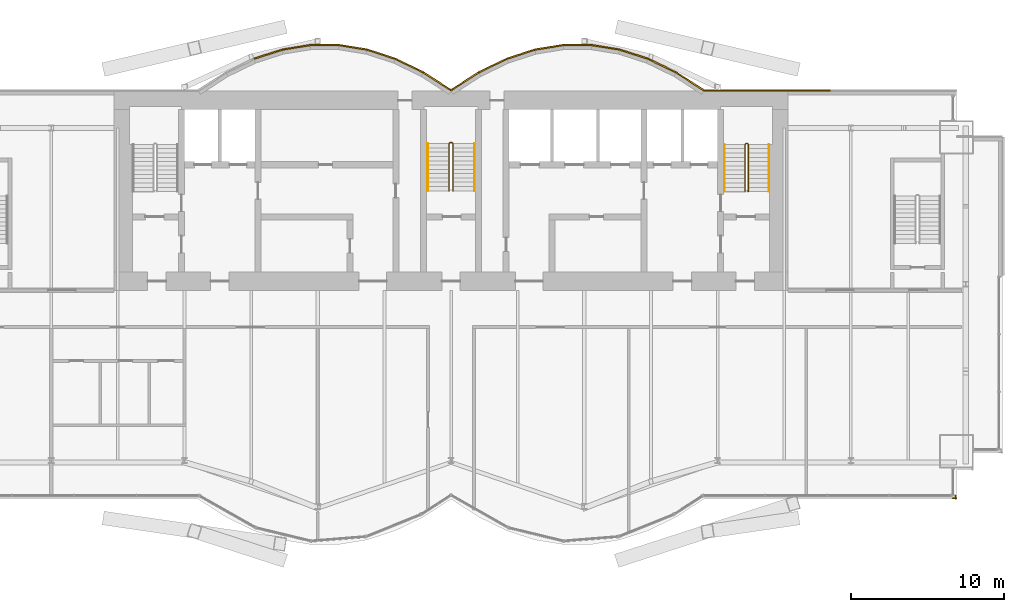
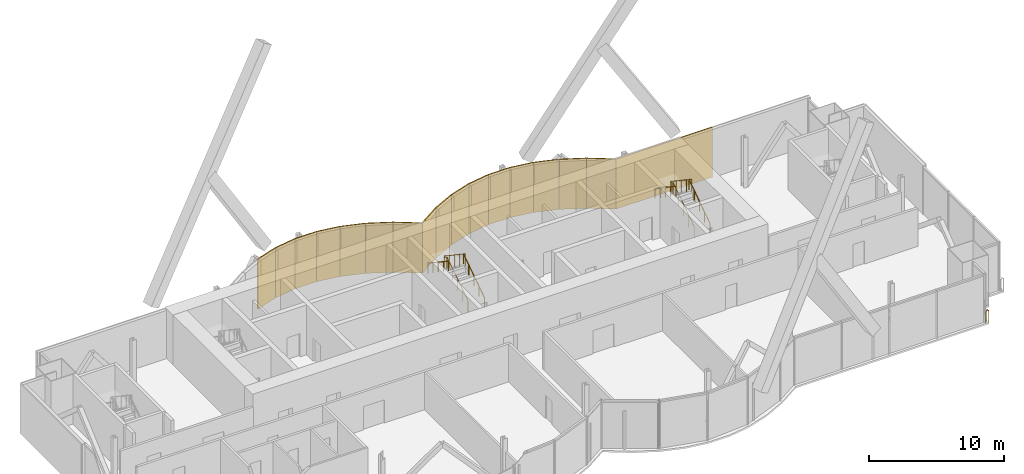
# One storey, part 19 of 20: 17 coverings, 7 railings.
"""IFC4 building model written with IfcOpenShell, lengths in metres."""

from ifc_helpers import new_model, si_unit, direction, frame, origin, origin_2d, place, context, subcontext, project, spatial, rectangle, circle, extrude, material, layer, layer_set, type_object, element, save


model = new_model("IFC4")

# Units and contexts
model_context = context("Model", 3, precision=1e-05, world=origin(), true_north=direction((0.0, 1.0)))
body_context = subcontext(model_context, "Body", "Model", "MODEL_VIEW")
ifc_project = project(units=[si_unit("LENGTHUNIT", "METRE"), si_unit("AREAUNIT", "SQUARE_METRE"), si_unit("VOLUMEUNIT", "CUBIC_METRE"), si_unit("PLANEANGLEUNIT", "RADIAN"), si_unit("MASSUNIT", "GRAM", prefix="KILO")], contexts=[model_context])

# Site, building, storey
site_placement = place(None, origin())
site = spatial("IfcSite", under=ifc_project, at=site_placement, CompositionType="ELEMENT")
building_placement = place(site_placement, origin())
building = spatial("IfcBuilding", under=site, at=building_placement, Name="Bicima Exchange Tower", CompositionType="ELEMENT")
storey_placement = place(building_placement, frame((0.0, 0.0, 306.5)))
storey = spatial("IfcBuildingStorey", under=building, at=storey_placement, Name="L69", CompositionType="ELEMENT", Elevation=306.5)

# Coverings
ifc_material_1 = material(Name="Bronze metal cladding")
ifc_layer_1 = layer(ifc_material_1, 0.004)
ifc_material_2 = material(Name="Ventilated cavity")
ifc_layer_2 = layer(ifc_material_2, 0.06)
ifc_material_3 = material(Name="Galvanised steel rail and mineral wool", Category="steel")
ifc_layer_3 = layer(ifc_material_3, 0.036)
ifc_layer_set = layer_set([ifc_layer_1, ifc_layer_2, ifc_layer_3], Name="Ventilated cavity")
covering_type = type_object("IfcCoveringType", Name="Bronze metal cladding panel 100", PredefinedType="CLADDING", material=ifc_layer_set)
covering_1_placement = place(storey_placement, frame((20.625, 0.050048828125, -0.14990234375), z_axis=(0.0, 0.0, 1.0), x_axis=(-1.0, 0.0, 0.0)))
element("IfcCovering", 1, at=covering_1_placement, inside=storey, type_object=covering_type, Name="Bronze cladding L69 1.2", PredefinedType="CLADDING", context=body_context, shape_type="SweptSolid", body=[
    extrude(rectangle(XDim=8.25, YDim=0.10009765625, at=origin_2d()), origin(), (0.0, 0.0, 1.0), 4.5),
])
covering_2_placement = place(storey_placement, frame((15.610595703125, 0.634521484375, -0.14990234375), z_axis=(0.0, 0.0, 1.0), x_axis=(-0.839790466384, 0.542910648791, 0.0)))
element("IfcCovering", 2, at=covering_2_placement, inside=storey, type_object=covering_type, Name="Bronze cladding L69 2.1", PredefinedType="CLADDING", context=body_context, shape_type="SweptSolid", body=[
    extrude(rectangle(XDim=2.18310546875, YDim=0.10009765625, at=origin_2d()), origin(), (0.0, 0.0, 1.0), 4.5),
])
covering_3_placement = place(storey_placement, frame((13.771728515625, 1.674560546875, -0.14990234375), z_axis=(0.0, 0.0, 1.0), x_axis=(-0.899818346812, 0.436264762204, 0.0)))
element("IfcCovering", 3, at=covering_3_placement, inside=storey, type_object=covering_type, Name="Bronze cladding L69 3.1", PredefinedType="CLADDING", context=body_context, shape_type="SweptSolid", body=[
    extrude(rectangle(XDim=2.03759765625, YDim=0.10009765625, at=origin_2d()), origin(), (0.0, 0.0, 1.0), 4.5),
])
covering_4_placement = place(storey_placement, frame((11.931884765625, 2.41796875, -0.14990234375), z_axis=(0.0, 0.0, 1.0), x_axis=(-0.951524642381, 0.307572519808, 0.0)))
element("IfcCovering", 4, at=covering_4_placement, inside=storey, type_object=covering_type, Name="Bronze cladding L69 4.1", PredefinedType="CLADDING", context=body_context, shape_type="SweptSolid", body=[
    extrude(rectangle(XDim=1.9267578125, YDim=0.10009765625, at=origin_2d()), origin(), (0.0, 0.0, 1.0), 4.5),
])
covering_5_placement = place(storey_placement, frame((10.09130859375, 2.8642578125, -0.14990234375), z_axis=(0.0, 0.0, 1.0), x_axis=(-0.987189786347, 0.159550386184, 0.0)))
element("IfcCovering", 5, at=covering_5_placement, inside=storey, type_object=covering_type, Name="Bronze cladding L69 5.1", PredefinedType="CLADDING", context=body_context, shape_type="SweptSolid", body=[
    extrude(rectangle(XDim=1.857177734375, YDim=0.10009765625, at=origin_2d()), origin(), (0.0, 0.0, 1.0), 4.5),
])
covering_6_placement = place(storey_placement, frame((8.25, 3.012939453125, -0.14990234375), z_axis=(0.0, 0.0, 1.0), x_axis=(-1.0, 0.0, 0.0)))
element("IfcCovering", 6, at=covering_6_placement, inside=storey, type_object=covering_type, Name="Bronze cladding L69 6.1", PredefinedType="CLADDING", context=body_context, shape_type="SweptSolid", body=[
    extrude(rectangle(XDim=1.83349609375, YDim=0.10009765625, at=origin_2d()), origin(), (0.0, 0.0, 1.0), 4.5),
])
covering_7_placement = place(storey_placement, frame((6.40869140625, 2.8642578125, -0.14990234375), z_axis=(0.0, 0.0, 1.0), x_axis=(-0.987189786347, -0.159550386184, 0.0)))
element("IfcCovering", 7, at=covering_7_placement, inside=storey, type_object=covering_type, Name="Bronze cladding L69 7.1", PredefinedType="CLADDING", context=body_context, shape_type="SweptSolid", body=[
    extrude(rectangle(XDim=1.857177734375, YDim=0.10009765625, at=origin_2d()), origin(), (0.0, 0.0, 1.0), 4.5),
])
covering_8_placement = place(storey_placement, frame((4.568115234375, 2.41796875, -0.14990234375), z_axis=(0.0, 0.0, 1.0), x_axis=(-0.951524642381, -0.307572519808, 0.0)))
element("IfcCovering", 8, at=covering_8_placement, inside=storey, type_object=covering_type, Name="Bronze cladding L69 8.1", PredefinedType="CLADDING", context=body_context, shape_type="SweptSolid", body=[
    extrude(rectangle(XDim=1.9267578125, YDim=0.10009765625, at=origin_2d()), origin(), (0.0, 0.0, 1.0), 4.5),
])
covering_9_placement = place(storey_placement, frame((2.728271484375, 1.674560546875, -0.14990234375), z_axis=(0.0, 0.0, 1.0), x_axis=(-0.899818346812, -0.436264762204, 0.0)))
element("IfcCovering", 9, at=covering_9_placement, inside=storey, type_object=covering_type, Name="Bronze cladding L69 9.1", PredefinedType="CLADDING", context=body_context, shape_type="SweptSolid", body=[
    extrude(rectangle(XDim=2.03759765625, YDim=0.10009765625, at=origin_2d()), origin(), (0.0, 0.0, 1.0), 4.5),
])
for number, where, z_axis, x_axis, name in (
    (10, (0.889404296875, 0.634521484375, -0.14990234375), (0.0, 0.0, 1.0), (-0.839790466384, -0.542910648791, 0.0), "Bronze cladding L69 10.1"),
    (11, (-0.889404296875, 0.634521484375, -0.14990234375), (0.0, 0.0, 1.0), (-0.839790466384, 0.542910648791, 0.0), "Bronze cladding L69 11.1"),
):
    element("IfcCovering", number, at=place(storey_placement, frame(where, z_axis=z_axis, x_axis=x_axis)), inside=storey, type_object=covering_type, Name=name, PredefinedType="CLADDING", context=body_context, shape_type="SweptSolid", body=[
        extrude(rectangle(XDim=2.18310546875, YDim=0.10009765625, at=origin_2d()), origin(), (0.0, 0.0, 1.0), 4.5),
    ])
covering_10_placement = place(storey_placement, frame((-2.728271484375, 1.674560546875, -0.14990234375), z_axis=(0.0, 0.0, 1.0), x_axis=(-0.899818346812, 0.436264762204, 0.0)))
element("IfcCovering", 12, at=covering_10_placement, inside=storey, type_object=covering_type, Name="Bronze cladding L69 12.1", PredefinedType="CLADDING", context=body_context, shape_type="SweptSolid", body=[
    extrude(rectangle(XDim=2.03759765625, YDim=0.10009765625, at=origin_2d()), origin(), (0.0, 0.0, 1.0), 4.5),
])
covering_11_placement = place(storey_placement, frame((-4.568115234375, 2.41796875, -0.14990234375), z_axis=(0.0, 0.0, 1.0), x_axis=(-0.951524642381, 0.307572519808, 0.0)))
element("IfcCovering", 13, at=covering_11_placement, inside=storey, type_object=covering_type, Name="Bronze cladding L69 13.1", PredefinedType="CLADDING", context=body_context, shape_type="SweptSolid", body=[
    extrude(rectangle(XDim=1.9267578125, YDim=0.10009765625, at=origin_2d()), origin(), (0.0, 0.0, 1.0), 4.5),
])
covering_12_placement = place(storey_placement, frame((-6.40869140625, 2.8642578125, -0.14990234375), z_axis=(0.0, 0.0, 1.0), x_axis=(-0.987189786347, 0.159550386184, 0.0)))
element("IfcCovering", 14, at=covering_12_placement, inside=storey, type_object=covering_type, Name="Bronze cladding L69 14.1", PredefinedType="CLADDING", context=body_context, shape_type="SweptSolid", body=[
    extrude(rectangle(XDim=1.857177734375, YDim=0.10009765625, at=origin_2d()), origin(), (0.0, 0.0, 1.0), 4.5),
])
covering_13_placement = place(storey_placement, frame((-8.25, 3.012939453125, -0.14990234375), z_axis=(0.0, 0.0, 1.0), x_axis=(-1.0, 0.0, 0.0)))
element("IfcCovering", 15, at=covering_13_placement, inside=storey, type_object=covering_type, Name="Bronze cladding L69 15.1", PredefinedType="CLADDING", context=body_context, shape_type="SweptSolid", body=[
    extrude(rectangle(XDim=1.83349609375, YDim=0.10009765625, at=origin_2d()), origin(), (0.0, 0.0, 1.0), 4.5),
])
covering_14_placement = place(storey_placement, frame((-10.09130859375, 2.8642578125, -0.14990234375), z_axis=(0.0, 0.0, 1.0), x_axis=(-0.987189786347, -0.159550386184, 0.0)))
element("IfcCovering", 16, at=covering_14_placement, inside=storey, type_object=covering_type, Name="Bronze cladding L69 16.1", PredefinedType="CLADDING", context=body_context, shape_type="SweptSolid", body=[
    extrude(rectangle(XDim=1.857177734375, YDim=0.10009765625, at=origin_2d()), origin(), (0.0, 0.0, 1.0), 4.5),
])
covering_15_placement = place(storey_placement, frame((-11.931884765625, 2.41796875, -0.14990234375), z_axis=(0.0, 0.0, 1.0), x_axis=(-0.951524642381, -0.307572519808, 0.0)))
element("IfcCovering", 17, at=covering_15_placement, inside=storey, type_object=covering_type, Name="Bronze cladding L69 17.1", PredefinedType="CLADDING", context=body_context, shape_type="SweptSolid", body=[
    extrude(rectangle(XDim=1.9267578125, YDim=0.10009765625, at=origin_2d()), origin(), (0.0, 0.0, 1.0), 4.5),
])

# Railings
ifc_material_4 = material(Name="Stainless steel and bonded safety glass", Category="steel")
railing_type_1 = type_object("IfcRailingType", Name="Edge guard 1100", PredefinedType="GUARDRAIL", material=ifc_material_4)
railing_1_placement = place(storey_placement, frame((32.949951171875, -26.389892578125, 0.0)))
element("IfcRailing", 18, at=railing_1_placement, inside=storey, type_object=railing_type_1, Name="Edge guard L69 358", PredefinedType="GUARDRAIL", context=body_context, shape_type="SweptSolid", body=[
    extrude(circle(Radius=0.02392578125, at=origin_2d()), frame((0.0, 0.0, 1.076171875), z_axis=(0.0, -1.0, 0.0), x_axis=(1.0, 0.0, 0.0)), (0.0, 0.0, 1.0), 0.238037109375),
    extrude(circle(Radius=0.02392578125, at=origin_2d()), frame((0.0, -0.238037109375, 1.076171875), z_axis=(0.707106781187, 0.707106781187, 0.0), x_axis=(-0.707106781187, 0.707106781187, 0.0)), (0.0, 0.0, 1.0), 0.07080078125),
    extrude(circle(Radius=0.02392578125, at=origin_2d()), frame((0.050048828125, -0.18798828125, 1.076171875), z_axis=(-1.0, 0.0, 0.0), x_axis=(0.0, -1.0, 0.0)), (0.0, 0.0, 1.0), 0.25),
    extrude(circle(Radius=0.02099609375, at=origin_2d()), origin(), (0.0, 0.0, 1.0), 1.052001953125),
    extrude(circle(Radius=0.02099609375, at=origin_2d()), frame((0.0, -0.238037109375, 0.0)), (0.0, 0.0, 1.0), 1.052001953125),
    extrude(circle(Radius=0.02099609375, at=origin_2d()), frame((0.050048828125, -0.18798828125, 0.0)), (0.0, 0.0, 1.0), 1.052001953125),
    extrude(circle(Radius=0.02099609375, at=origin_2d()), frame((-0.199951171875, -0.18798828125, 0.0)), (0.0, 0.0, 1.0), 1.052001953125),
])
ifc_material_5 = material(Name="Stainless steel", Category="steel")
railing_type_2 = type_object("IfcRailingType", Name="Stair guard 1100", PredefinedType="GUARDRAIL", material=ifc_material_5)
railing_2_placement = place(storey_placement, frame((0.125, -6.5, 0.1875)))
element("IfcRailing", 19, at=railing_2_placement, inside=storey, type_object=railing_type_2, Name="L69 ST-C stair guard 1", PredefinedType="GUARDRAIL", context=body_context, shape_type="SweptSolid", body=[
    extrude(circle(Radius=0.02392578125, at=origin_2d()), frame((0.0, 0.0, 1.076171875), z_axis=(0.0, 0.830913701846, 0.55640131208), x_axis=(-1.0, 0.0, 0.0)), (0.0, 0.0, 1.0), 3.706787109375),
    extrude(circle(Radius=0.02392578125, at=origin_2d()), frame((0.0, 3.080078125, 3.138671875), z_axis=(-0.708833529934, 0.705375805398, 0.0), x_axis=(-0.705375805398, -0.708833529934, 0.0)), (0.0, 0.0, 1.0), 0.070556640625),
    extrude(circle(Radius=0.02392578125, at=origin_2d()), frame((-0.050048828125, 3.1298828125, 3.138671875), z_axis=(-1.0, 0.0, 0.0), x_axis=(0.0, -1.0, 0.0)), (0.0, 0.0, 1.0), 0.14990234375),
    extrude(circle(Radius=0.02392578125, at=origin_2d()), frame((-0.199951171875, 3.1298828125, 3.138671875), z_axis=(-0.249802250048, -0.248583702486, 0.935844527007), x_axis=(0.705375805398, -0.708833529934, 0.0)), (0.0, 0.0, 1.0), 0.200439453125),
    extrude(circle(Radius=0.02392578125, at=origin_2d()), frame((-0.25, 3.080078125, 3.326171875), z_axis=(0.0, -0.830913701846, 0.55640131208), x_axis=(1.0, 0.0, 0.0)), (0.0, 0.0, 1.0), 3.706787109375),
    extrude(circle(Radius=0.02099609375, at=origin_2d()), origin(), (0.0, 0.0, 1.0), 1.052001953125),
    extrude(circle(Radius=0.02099609375, at=origin_2d()), frame((0.0, 0.77001953125, 0.515625)), (0.0, 0.0, 1.0), 1.052001953125),
    extrude(circle(Radius=0.02099609375, at=origin_2d()), frame((0.0, 1.5400390625, 1.03125)), (0.0, 0.0, 1.0), 1.052001953125),
    extrude(circle(Radius=0.02099609375, at=origin_2d()), frame((0.0, 2.31005859375, 1.546875)), (0.0, 0.0, 1.0), 1.052001953125),
    extrude(circle(Radius=0.02099609375, at=origin_2d()), frame((0.0, 3.080078125, 2.0625)), (0.0, 0.0, 1.0), 1.052001953125),
    extrude(circle(Radius=0.02099609375, at=origin_2d()), frame((-0.050048828125, 3.1298828125, 2.0625)), (0.0, 0.0, 1.0), 1.052001953125),
    extrude(circle(Radius=0.02099609375, at=origin_2d()), frame((-0.199951171875, 3.1298828125, 2.0625)), (0.0, 0.0, 1.0), 1.052001953125),
    extrude(circle(Radius=0.02099609375, at=origin_2d()), frame((-0.25, 3.080078125, 2.25)), (0.0, 0.0, 1.0), 1.052001953125),
    extrude(circle(Radius=0.02099609375, at=origin_2d()), frame((-0.25, 2.31005859375, 2.765625)), (0.0, 0.0, 1.0), 1.052001953125),
    extrude(circle(Radius=0.02099609375, at=origin_2d()), frame((-0.25, 1.5400390625, 3.28125)), (0.0, 0.0, 1.0), 1.052001953125),
    extrude(circle(Radius=0.02099609375, at=origin_2d()), frame((-0.25, 0.77001953125, 3.796875)), (0.0, 0.0, 1.0), 1.052001953125),
    extrude(circle(Radius=0.02099609375, at=origin_2d()), frame((-0.25, 0.0, 4.3125)), (0.0, 0.0, 1.0), 1.052001953125),
])
railing_3_placement = place(storey_placement, frame((19.39990234375, -6.550048828125, 0.1875)))
element("IfcRailing", 20, at=railing_3_placement, inside=storey, type_object=railing_type_2, Name="L69 ST-E stair guard 1", PredefinedType="GUARDRAIL", context=body_context, shape_type="SweptSolid", body=[
    extrude(circle(Radius=0.02392578125, at=origin_2d()), frame((0.0, 0.0, 1.076171875), z_axis=(0.0, 0.830913701846, 0.55640131208), x_axis=(-1.0, 0.0, 0.0)), (0.0, 0.0, 1.0), 3.706787109375),
    extrude(circle(Radius=0.02392578125, at=origin_2d()), frame((0.0, 3.080078125, 3.138671875), z_axis=(-0.705375805398, 0.708833529934, 0.0), x_axis=(-0.708833529934, -0.705375805398, 0.0)), (0.0, 0.0, 1.0), 0.070556640625),
    extrude(circle(Radius=0.02392578125, at=origin_2d()), frame((-0.0498046875, 3.130126953125, 3.138671875), z_axis=(-1.0, 0.0, 0.0), x_axis=(0.0, -1.0, 0.0)), (0.0, 0.0, 1.0), 0.10009765625),
    extrude(circle(Radius=0.02392578125, at=origin_2d()), frame((-0.14990234375, 3.130126953125, 3.138671875), z_axis=(-0.249726431254, -0.249726431254, 0.935560483917), x_axis=(0.707106781187, -0.707106781187, 0.0)), (0.0, 0.0, 1.0), 0.200439453125),
    extrude(circle(Radius=0.02392578125, at=origin_2d()), frame((-0.199951171875, 3.080078125, 3.326171875), z_axis=(0.0, -0.830913701846, 0.55640131208), x_axis=(1.0, 0.0, 0.0)), (0.0, 0.0, 1.0), 3.706787109375),
    extrude(circle(Radius=0.02099609375, at=origin_2d()), origin(), (0.0, 0.0, 1.0), 1.052001953125),
    extrude(circle(Radius=0.02099609375, at=origin_2d()), frame((0.0, 0.77001953125, 0.515625)), (0.0, 0.0, 1.0), 1.052001953125),
    extrude(circle(Radius=0.02099609375, at=origin_2d()), frame((0.0, 1.5400390625, 1.03125)), (0.0, 0.0, 1.0), 1.052001953125),
    extrude(circle(Radius=0.02099609375, at=origin_2d()), frame((0.0, 2.31005859375, 1.546875)), (0.0, 0.0, 1.0), 1.052001953125),
    extrude(circle(Radius=0.02099609375, at=origin_2d()), frame((0.0, 3.080078125, 2.0625)), (0.0, 0.0, 1.0), 1.052001953125),
    extrude(circle(Radius=0.02099609375, at=origin_2d()), frame((-0.0498046875, 3.130126953125, 2.0625)), (0.0, 0.0, 1.0), 1.052001953125),
    extrude(circle(Radius=0.02099609375, at=origin_2d()), frame((-0.14990234375, 3.130126953125, 2.0625)), (0.0, 0.0, 1.0), 1.052001953125),
    extrude(circle(Radius=0.02099609375, at=origin_2d()), frame((-0.199951171875, 3.080078125, 2.25)), (0.0, 0.0, 1.0), 1.052001953125),
    extrude(circle(Radius=0.02099609375, at=origin_2d()), frame((-0.199951171875, 2.31005859375, 2.765625)), (0.0, 0.0, 1.0), 1.052001953125),
    extrude(circle(Radius=0.02099609375, at=origin_2d()), frame((-0.199951171875, 1.5400390625, 3.28125)), (0.0, 0.0, 1.0), 1.052001953125),
    extrude(circle(Radius=0.02099609375, at=origin_2d()), frame((-0.199951171875, 0.77001953125, 3.796875)), (0.0, 0.0, 1.0), 1.052001953125),
    extrude(circle(Radius=0.02099609375, at=origin_2d()), frame((-0.199951171875, 0.0, 4.3125)), (0.0, 0.0, 1.0), 1.052001953125),
])
railing_type_3 = type_object("IfcRailingType", Name="Stair handrail 900", PredefinedType="HANDRAIL", material=ifc_material_5)
railing_4_placement = place(storey_placement, frame((1.52490234375, -6.5, 0.1875)))
element("IfcRailing", 21, at=railing_4_placement, inside=storey, type_object=railing_type_3, Name="L69 ST-C stair handrail 1", PredefinedType="HANDRAIL", context=body_context, shape_type="SweptSolid", body=[
    extrude(circle(Radius=0.02392578125, at=origin_2d()), frame((0.0, 0.0, 0.8759765625), z_axis=(0.0, 0.830913701846, 0.55640131208), x_axis=(-1.0, 0.0, 0.0)), (0.0, 0.0, 1.0), 3.706787109375),
    extrude(circle(Radius=0.02099609375, at=origin_2d()), origin(), (0.0, 0.0, 1.0), 0.851806640625),
    extrude(circle(Radius=0.02099609375, at=origin_2d()), frame((0.0, 0.77001953125, 0.515625)), (0.0, 0.0, 1.0), 0.851806640625),
    extrude(circle(Radius=0.02099609375, at=origin_2d()), frame((0.0, 1.5400390625, 1.03125)), (0.0, 0.0, 1.0), 0.851806640625),
    extrude(circle(Radius=0.02099609375, at=origin_2d()), frame((0.0, 2.31005859375, 1.546875)), (0.0, 0.0, 1.0), 0.851806640625),
    extrude(circle(Radius=0.02099609375, at=origin_2d()), frame((0.0, 3.080078125, 2.0625)), (0.0, 0.0, 1.0), 0.851806640625),
])
railing_5_placement = place(storey_placement, frame((-1.52490234375, -3.419921875, 2.47900390625)))
element("IfcRailing", 22, at=railing_5_placement, inside=storey, type_object=railing_type_3, Name="L69 ST-C stair handrail 2", PredefinedType="HANDRAIL", context=body_context, shape_type="SweptSolid", body=[
    extrude(circle(Radius=0.02392578125, at=origin_2d()), frame((0.0, 0.0, 0.8759765625), z_axis=(0.0, -0.830913701846, 0.55640131208), x_axis=(1.0, 0.0, 0.0)), (0.0, 0.0, 1.0), 3.706787109375),
    extrude(circle(Radius=0.02099609375, at=origin_2d()), origin(), (0.0, 0.0, 1.0), 0.851806640625),
    extrude(circle(Radius=0.02099609375, at=origin_2d()), frame((0.0, -0.77001953125, 0.515625)), (0.0, 0.0, 1.0), 0.851806640625),
    extrude(circle(Radius=0.02099609375, at=origin_2d()), frame((0.0, -1.5400390625, 1.03125)), (0.0, 0.0, 1.0), 0.851806640625),
    extrude(circle(Radius=0.02099609375, at=origin_2d()), frame((0.0, -2.31005859375, 1.546875)), (0.0, 0.0, 1.0), 0.851806640625),
    extrude(circle(Radius=0.02099609375, at=origin_2d()), frame((0.0, -3.080078125, 2.0625)), (0.0, 0.0, 1.0), 0.851806640625),
])
railing_6_placement = place(storey_placement, frame((20.75, -6.550048828125, 0.1875)))
element("IfcRailing", 23, at=railing_6_placement, inside=storey, type_object=railing_type_3, Name="L69 ST-E stair handrail 1", PredefinedType="HANDRAIL", context=body_context, shape_type="SweptSolid", body=[
    extrude(circle(Radius=0.02392578125, at=origin_2d()), frame((0.0, 0.0, 0.8759765625), z_axis=(0.0, 0.830913701846, 0.55640131208), x_axis=(-1.0, 0.0, 0.0)), (0.0, 0.0, 1.0), 3.706787109375),
    extrude(circle(Radius=0.02099609375, at=origin_2d()), origin(), (0.0, 0.0, 1.0), 0.851806640625),
    extrude(circle(Radius=0.02099609375, at=origin_2d()), frame((0.0, 0.77001953125, 0.515625)), (0.0, 0.0, 1.0), 0.851806640625),
    extrude(circle(Radius=0.02099609375, at=origin_2d()), frame((0.0, 1.5400390625, 1.03125)), (0.0, 0.0, 1.0), 0.851806640625),
    extrude(circle(Radius=0.02099609375, at=origin_2d()), frame((0.0, 2.31005859375, 1.546875)), (0.0, 0.0, 1.0), 0.851806640625),
    extrude(circle(Radius=0.02099609375, at=origin_2d()), frame((0.0, 3.080078125, 2.0625)), (0.0, 0.0, 1.0), 0.851806640625),
])
railing_7_placement = place(storey_placement, frame((17.85009765625, -3.469970703125, 2.47900390625)))
element("IfcRailing", 24, at=railing_7_placement, inside=storey, type_object=railing_type_3, Name="L69 ST-E stair handrail 2", PredefinedType="HANDRAIL", context=body_context, shape_type="SweptSolid", body=[
    extrude(circle(Radius=0.02392578125, at=origin_2d()), frame((0.0, 0.0, 0.8759765625), z_axis=(0.0, -0.830913701846, 0.55640131208), x_axis=(1.0, 0.0, 0.0)), (0.0, 0.0, 1.0), 3.706787109375),
    extrude(circle(Radius=0.02099609375, at=origin_2d()), origin(), (0.0, 0.0, 1.0), 0.851806640625),
    extrude(circle(Radius=0.02099609375, at=origin_2d()), frame((0.0, -0.77001953125, 0.515625)), (0.0, 0.0, 1.0), 0.851806640625),
    extrude(circle(Radius=0.02099609375, at=origin_2d()), frame((0.0, -1.5400390625, 1.03125)), (0.0, 0.0, 1.0), 0.851806640625),
    extrude(circle(Radius=0.02099609375, at=origin_2d()), frame((0.0, -2.31005859375, 1.546875)), (0.0, 0.0, 1.0), 0.851806640625),
    extrude(circle(Radius=0.02099609375, at=origin_2d()), frame((0.0, -3.080078125, 2.0625)), (0.0, 0.0, 1.0), 0.851806640625),
])

save(model, "model.ifc")
